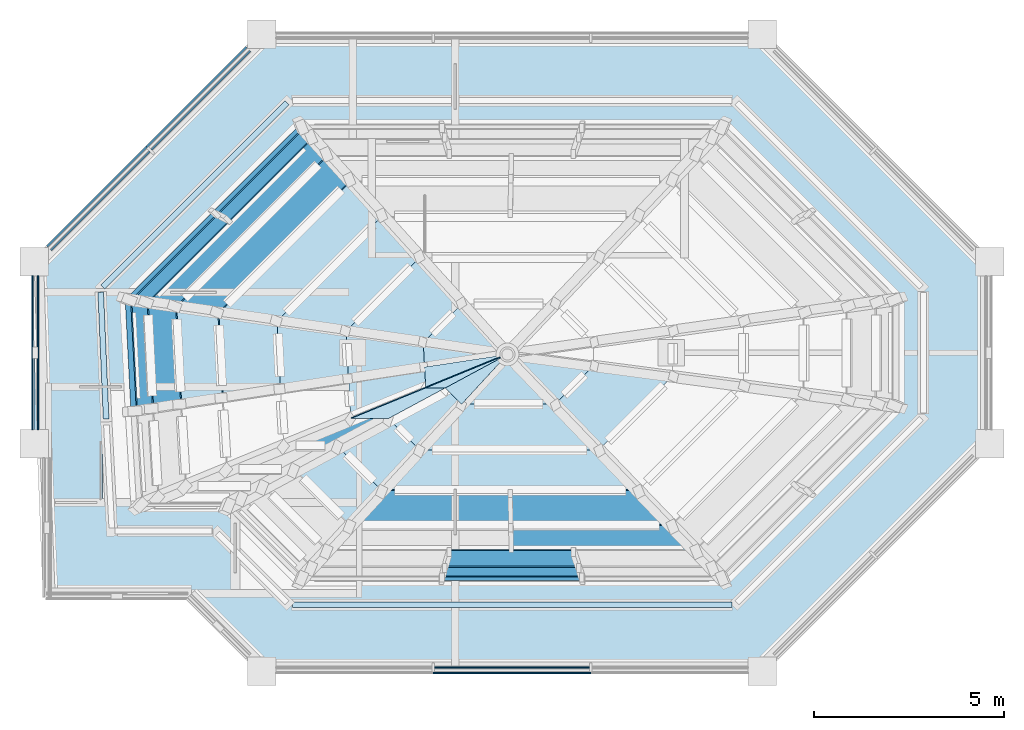
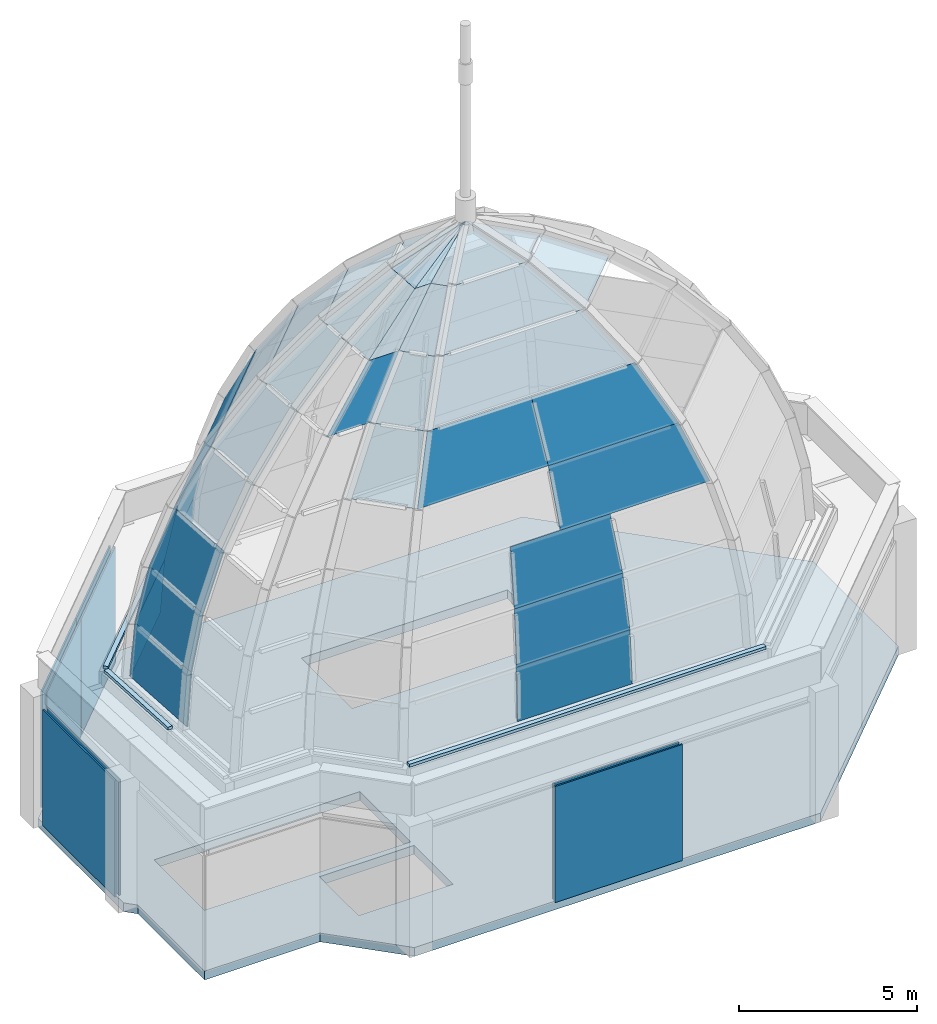
# One storey, part 2 of 9: 49 plates, 1 slab, 3 elements without a shape of their own.
"""IFC4 building model written with IfcOpenShell, lengths in metres."""

import ifcopenshell
import ifcopenshell.guid

model = None  # the IFC model being written
_history = None  # IfcOwnerHistory: only IFC2X3 demands one
_inside = {}  # id of a spatial element -> (the spatial element, [elements in it])
_under = {}  # id of a project, library or spatial element -> (it, [spatial elements below it])
_declared = {}  # id of a project -> (the project, [libraries it declares])
_typed = {}  # id of a type object -> (the type object, [elements of that type])
_made_of = {}  # id of a material, layer set ... -> (it, [elements and type objects made of it])


def new_model(schema):
    """Start an empty IFC model of exactly this schema.

    Asked for "IFC4X3", IfcOpenShell would pick the latest addendum, in which some entities
    have other attributes; the version numbers below select the first issue.
    IFC2X3 requires an IfcOwnerHistory on every rooted entity: one is made here for all.
    """
    global model, _history
    if schema == "IFC4X3":
        model = ifcopenshell.file(schema_version=(4, 3, 0, 0))
    else:
        model = ifcopenshell.file(schema=schema)
    _inside.clear()
    _under.clear()
    _declared.clear()
    _typed.clear()
    _made_of.clear()
    _history = None
    if model.schema == "IFC2X3":
        org = make("IfcOrganization", Name="unknown")
        user = make(
            "IfcPersonAndOrganization",
            ThePerson=make("IfcPerson", FamilyName="unknown"),
            TheOrganization=org,
        )
        app = make(
            "IfcApplication",
            ApplicationDeveloper=org,
            Version="unknown",
            ApplicationFullName="unknown",
            ApplicationIdentifier="unknown",
        )
        _history = make(
            "IfcOwnerHistory",
            OwningUser=user,
            OwningApplication=app,
            ChangeAction="ADDED",
            CreationDate=0,
        )
    return model


def make(cls, **values):
    """One entity of the class cls with the attributes given. An attribute that is None is left unset."""
    return model.create_entity(
        cls, **{name: value for name, value in values.items() if value is not None}
    )


def rooted(cls, **values):
    """An entity with a GlobalId (a new one), such as an element, a storey or a relation."""
    return make(cls, GlobalId=ifcopenshell.guid.new(), OwnerHistory=_history, **values)


def si_unit(unit_type, name, prefix=None):
    """IfcSIUnit, for example si_unit("LENGTHUNIT", "METRE", prefix="MILLI")."""
    return make("IfcSIUnit", UnitType=unit_type, Prefix=prefix, Name=name)


def assignment(units):
    """IfcUnitAssignment: the units of a project."""
    return None if units is None else make("IfcUnitAssignment", Units=units)


def point(xyz):
    """IfcCartesianPoint."""
    return None if xyz is None else make("IfcCartesianPoint", Coordinates=xyz)


def direction(xyz):
    """IfcDirection."""
    return None if xyz is None else make("IfcDirection", DirectionRatios=xyz)


def frame(location, z_axis=None, x_axis=None):
    """IfcAxis2Placement3D, a coordinate frame: its origin and axes. An axis left out is left unset."""
    return make(
        "IfcAxis2Placement3D",
        Location=point(location),
        Axis=direction(z_axis),
        RefDirection=direction(x_axis),
    )


def frame_2d(location, x_axis=None):
    """IfcAxis2Placement2D, a coordinate frame in the plane: its origin and x axis."""
    return make(
        "IfcAxis2Placement2D", Location=point(location), RefDirection=direction(x_axis)
    )


def origin():
    """The frame at (0, 0, 0) with its axes left unset."""
    return frame((0.0, 0.0, 0.0))


def origin_2d():
    """The frame at (0, 0) in the plane with its x axis left unset."""
    return frame_2d((0.0, 0.0))


def place(relative_to, where):
    """IfcLocalPlacement: puts the frame where relative to a parent placement (None: the world)."""
    return make(
        "IfcLocalPlacement", PlacementRelTo=relative_to, RelativePlacement=where
    )


def context(
    kind, dimensions, precision=None, world=None, true_north=None, identifier=None
):
    """IfcGeometricRepresentationContext, for example the 3D "Model" context."""
    return make(
        "IfcGeometricRepresentationContext",
        ContextIdentifier=identifier,
        ContextType=kind,
        CoordinateSpaceDimension=dimensions,
        Precision=precision,
        WorldCoordinateSystem=world,
        TrueNorth=true_north,
    )


def subcontext(parent, identifier, kind, view, scale=None):
    """IfcGeometricRepresentationSubContext, for example "Body" below "Model"."""
    return make(
        "IfcGeometricRepresentationSubContext",
        ContextIdentifier=identifier,
        ContextType=kind,
        ParentContext=parent,
        TargetScale=scale,
        TargetView=view,
    )


def project(units=None, contexts=None):
    """IfcProject with its units and contexts."""
    return rooted(
        "IfcProject",
        Name="project",
        RepresentationContexts=contexts,
        UnitsInContext=assignment(units),
    )


def spatial(cls, under=None, at=None, **own):
    """A site, building, storey or space (cls), placed at a placement, below another one or the project."""
    s = rooted(cls, ObjectPlacement=at, **own)
    if under is not None:
        _under.setdefault(under.id(), (under, []))[1].append(s)
    return s


def polyline(points):
    """IfcPolyline through the points."""
    return make("IfcPolyline", Points=[point(p) for p in points])


def profile(cls, at=None, kind="AREA", **sizes):
    """A parametric profile (cls). Its sizes go by their IFC names, for example OverallWidth=200.0."""
    return make(cls, ProfileType=kind, Position=at, **sizes)


def rectangle(**sizes):
    """IfcRectangleProfileDef."""
    return profile("IfcRectangleProfileDef", **sizes)


def outline(outer, holes=None, kind="AREA"):
    """IfcArbitraryClosedProfileDef: a profile drawn as a closed curve; with holes, ...WithVoids."""
    if holes is None:
        return make("IfcArbitraryClosedProfileDef", ProfileType=kind, OuterCurve=outer)
    return make(
        "IfcArbitraryProfileDefWithVoids",
        ProfileType=kind,
        OuterCurve=outer,
        InnerCurves=holes,
    )


def extrude(swept, where, along, depth):
    """IfcExtrudedAreaSolid: the profile swept, set in the frame where, extruded along a direction by depth."""
    return make(
        "IfcExtrudedAreaSolid",
        SweptArea=swept,
        Position=where,
        ExtrudedDirection=direction(along),
        Depth=depth,
    )


def shape(context_of_items, identifier, shape_type, items):
    """IfcShapeRepresentation: the items that make up one representation, for example the "Body"."""
    return make(
        "IfcShapeRepresentation",
        ContextOfItems=context_of_items,
        RepresentationIdentifier=identifier,
        RepresentationType=shape_type,
        Items=items,
    )


def material(Name=None, Category=None):
    """IfcMaterial."""
    return make("IfcMaterial", Name=Name, Category=Category)


def layer(
    of_material, thickness, ventilated=None, Name=None, Category=None, Priority=None
):
    """IfcMaterialLayer: one layer of a wall or slab, of a material (None: an air gap)."""
    return make(
        "IfcMaterialLayer",
        Material=of_material,
        LayerThickness=thickness,
        IsVentilated=ventilated,
        Name=Name,
        Category=Category,
        Priority=Priority,
    )


def layer_set(layers, Name=None):
    """IfcMaterialLayerSet."""
    return make("IfcMaterialLayerSet", MaterialLayers=layers, LayerSetName=Name)


def made_of(thing, what):
    """Note that an element or type object is made of a material, layer set ...; save() writes the relation."""
    if what is not None:
        _made_of.setdefault(what.id(), (what, []))[1].append(thing)
    return thing


def type_object(cls, material=None, **own):
    """A type object (cls), such as IfcWallType, which elements share."""
    return made_of(rooted(cls, **own), material)


def element(
    cls,
    number,
    at=None,
    inside=None,
    cuts=None,
    type_object=None,
    material=None,
    context=None,
    identifier="Body",
    shape_type=None,
    held_by="IfcProductDefinitionShape",
    body=None,
    shapes=None,
    **own,
):
    """One element of the class cls, such as IfcWall. Its Tag is "e" and its number.

    at: its placement. inside: the storey or other place that contains it. cuts: it is an
    opening in that element (IfcRelVoidsElement). A single representation is given by context,
    identifier, shape_type and body (its items); several are given by shapes. held_by: the class
    of the entity that holds the representations. save() writes the other relations.
    """
    e = rooted(cls, Tag="e%d" % number, ObjectPlacement=at, **own)
    if body is not None:
        shapes = [shape(context, identifier, shape_type, body)]
    if shapes is not None:
        e.Representation = make(held_by, Representations=shapes)
    if inside is not None:
        _inside.setdefault(inside.id(), (inside, []))[1].append(e)
    if cuts is not None:
        rooted(
            "IfcRelVoidsElement", RelatingBuildingElement=cuts, RelatedOpeningElement=e
        )
    if type_object is not None:
        _typed.setdefault(type_object.id(), (type_object, []))[1].append(e)
    return made_of(e, material)


def aggregate(whole, parts):
    """IfcRelAggregates: a whole, such as a stair, and the parts it consists of."""
    return rooted("IfcRelAggregates", RelatingObject=whole, RelatedObjects=parts)


def save(model, path):
    """Write the relations noted so far, then the file.

    IfcRelAggregates (storeys below a building ...), IfcRelContainedInSpatialStructure (elements
    in a storey), IfcRelDefinesByType, IfcRelAssociatesMaterial and IfcRelDeclares: one each for
    every whole, place, type object, material and project.
    """
    for whole, parts in _under.values():
        aggregate(whole, parts)
    for where, things in _inside.values():
        rooted(
            "IfcRelContainedInSpatialStructure",
            RelatedElements=things,
            RelatingStructure=where,
        )
    for kind, things in _typed.values():
        rooted("IfcRelDefinesByType", RelatedObjects=things, RelatingType=kind)
    for what, things in _made_of.values():
        rooted("IfcRelAssociatesMaterial", RelatedObjects=things, RelatingMaterial=what)
    for by, libraries in _declared.values():
        rooted("IfcRelDeclares", RelatingContext=by, RelatedDefinitions=libraries)
    model.write(path)


model = new_model("IFC4")

# Units and contexts
model_context = context("Model", 3, precision=1e-05, world=origin(), true_north=direction((0.0, 1.0)))
body_context = subcontext(model_context, "Body", "Model", "MODEL_VIEW")
ifc_project = project(units=[si_unit("LENGTHUNIT", "METRE"), si_unit("AREAUNIT", "SQUARE_METRE"), si_unit("VOLUMEUNIT", "CUBIC_METRE"), si_unit("PLANEANGLEUNIT", "RADIAN"), si_unit("MASSUNIT", "GRAM", prefix="KILO")], contexts=[model_context])

# Site, building, storey
site_placement = place(None, origin())
site = spatial("IfcSite", under=ifc_project, at=site_placement, CompositionType="ELEMENT")
building_placement = place(site_placement, origin())
building = spatial("IfcBuilding", under=site, at=building_placement, Name="Kawkab Arch Medical Tower", CompositionType="ELEMENT")
storey_placement = place(building_placement, frame((0.0, 0.0, 359.199951171875)))
storey = spatial("IfcBuildingStorey", under=building, at=storey_placement, Name="L83", CompositionType="ELEMENT", Elevation=359.199951171875)

# Plates
ifc_material_1 = material(Name="Steel S355", Category="steel")
ifc_layer_1 = layer(ifc_material_1, 0.10009765625)
ifc_layer_set_1 = layer_set([ifc_layer_1], Name="Steel S355")
plate_type_1 = type_object("IfcPlateType", Name="BMU rail 150 x 100", PredefinedType="USERDEFINED", material=ifc_layer_set_1)
plate_1_placement = place(storey_placement, frame((4.2373046875, -29.4375, 4.89990234375), z_axis=(0.0, 0.0, 1.0), x_axis=(0.707106781187, 0.707106781187, 0.0)))
element("IfcPlate", 1, at=plate_1_placement, inside=storey, type_object=plate_type_1, Name="BMU rail 1", ObjectType="BMU RAIL", PredefinedType="USERDEFINED", context=body_context, shape_type="SweptSolid", body=[
    extrude(rectangle(XDim=6.87548828125, YDim=0.14990234375, at=origin_2d()), origin(), (0.0, 0.0, 1.0), 0.10009765625),
])
plate_2_placement = place(storey_placement, frame((12.60009765625, -40.25, 4.89990234375), z_axis=(0.0, 0.0, 1.0), x_axis=(-1.0, 0.0, 0.0)))
element("IfcPlate", 2, at=plate_2_placement, inside=storey, type_object=plate_type_1, Name="BMU rail 6", ObjectType="BMU RAIL", PredefinedType="USERDEFINED", context=body_context, shape_type="SweptSolid", body=[
    extrude(rectangle(XDim=11.59033203125, YDim=0.14990234375, at=origin_2d()), origin(), (0.0, 0.0, 1.0), 0.10009765625),
])
plate_3_placement = place(storey_placement, frame((1.824951171875, -33.675048828125, 4.89990234375), z_axis=(0.0, 0.0, 1.0), x_axis=(-0.042814754895, 0.999083027963, 0.0)))
element("IfcPlate", 3, at=plate_3_placement, inside=storey, type_object=plate_type_1, Name="BMU rail 10", ObjectType="BMU RAIL", PredefinedType="USERDEFINED", context=body_context, shape_type="SweptSolid", body=[
    extrude(rectangle(XDim=3.343505859375, YDim=0.14990234375, at=origin_2d()), origin(), (0.0, 0.0, 1.0), 0.10009765625),
])

# Curtain wall, plate
ifc_material_2 = material(Name="Bronze anodised aluminium curtain wall frame", Category="aluminium")
ifc_layer_2 = layer(ifc_material_2, 0.159912109375)
ifc_layer_set_2 = layer_set([ifc_layer_2], Name="Bronze anodised aluminium curtain wall frame")
curtain_wall_type = type_object("IfcCurtainWallType", Name="CW6 helipad lobby and crown glazing", PredefinedType="NOTDEFINED", material=ifc_layer_set_2)
placement = place(storey_placement, origin())
curtain_wall_1 = element("IfcCurtainWall", 4, at=placement, inside=storey, type_object=curtain_wall_type, Name="CW6 Helipad lobby and crown glazing R01", PredefinedType="NOTDEFINED")
ifc_material_3 = material(Name="Tinted laminated insulating glass, low iron", Category="glass")
ifc_layer_3 = layer(ifc_material_3, 0.0400390625)
ifc_layer_set_3 = layer_set([ifc_layer_3], Name="Tinted laminated insulating glass, low iron")
plate_type_2 = type_object("IfcPlateType", Name="CW6 glazing unit 40", PredefinedType="CURTAIN_PANEL", material=ifc_layer_set_3)
plate_4_placement = place(storey_placement, frame((0.10009765625, -33.60009765625, 0.0), z_axis=(0.0, 0.0, 1.0), x_axis=(0.0, -1.0, 0.0)))
plate_4 = element("IfcPlate", 5, at=plate_4_placement, type_object=plate_type_2, Name="CW6 glazing unit 1.1", PredefinedType="CURTAIN_PANEL", context=body_context, shape_type="SweptSolid", body=[
    extrude(rectangle(XDim=4.050048828125, YDim=0.0400390625, at=origin_2d()), origin(), (0.0, 0.0, 1.0), 3.989990234375),
])
aggregate(curtain_wall_1, [plate_4])

curtain_wall_2 = element("IfcCurtainWall", 6, at=placement, inside=storey, type_object=curtain_wall_type, Name="CW6 Helipad lobby and crown glazing R06", PredefinedType="NOTDEFINED")
plate_5_placement = place(storey_placement, frame((12.60009765625, -41.89990234375, 0.0), z_axis=(0.0, 0.0, 1.0), x_axis=(1.0, 0.0, 0.0)))
plate_5 = element("IfcPlate", 7, at=plate_5_placement, type_object=plate_type_2, Name="CW6 glazing unit 1.2", PredefinedType="CURTAIN_PANEL", context=body_context, shape_type="SweptSolid", body=[
    extrude(rectangle(XDim=4.080078125, YDim=0.0400390625, at=origin_2d()), origin(), (0.0, 0.0, 1.0), 3.989990234375),
])
aggregate(curtain_wall_2, [plate_5])

# Curtain wall, plates
curtain_wall_3 = element("IfcCurtainWall", 8, at=placement, inside=storey, type_object=curtain_wall_type, Name="CW6 Helipad lobby and crown glazing R11", PredefinedType="NOTDEFINED")
plate_6_placement = place(storey_placement, frame((4.3955078125, -26.94580078125, 0.0), z_axis=(0.0, 0.0, 1.0), x_axis=(-0.707106781187, -0.707106781187, 0.0)))
plate_6 = element("IfcPlate", 9, at=plate_6_placement, type_object=plate_type_2, Name="CW6 glazing unit 1.1", PredefinedType="CURTAIN_PANEL", context=body_context, shape_type="SweptSolid", body=[
    extrude(rectangle(XDim=3.67724609375, YDim=0.0400390625, at=origin_2d()), origin(), (0.0, 0.0, 1.0), 3.989990234375),
])
plate_7_placement = place(storey_placement, frame((1.745849609375, -29.595703125, 0.0), z_axis=(0.0, 0.0, 1.0), x_axis=(-0.707106781187, -0.707106781187, 0.0)))
plate_7 = element("IfcPlate", 10, at=plate_7_placement, type_object=plate_type_2, Name="CW6 glazing unit 1.2", PredefinedType="CURTAIN_PANEL", context=body_context, shape_type="SweptSolid", body=[
    extrude(rectangle(XDim=3.67724609375, YDim=0.0400390625, at=origin_2d()), origin(), (0.0, 0.0, 1.0), 3.989990234375),
])
aggregate(curtain_wall_3, [plate_6, plate_7])

# Plates
ifc_material_4 = material(Name="Laminated tinted glass", Category="glass")
ifc_layer_4 = layer(ifc_material_4, 0.031982421875)
ifc_layer_set_4 = layer_set([ifc_layer_4], Name="Laminated tinted glass")
plate_type_3 = type_object("IfcPlateType", Name="Crown glazing panel 32", PredefinedType="USERDEFINED", material=ifc_layer_set_4)
plate_8_placement = place(storey_placement, frame((10.7314453125, -39.60009765625, 4.650146484375), z_axis=(0.0, -0.998924421015, 0.046368104329), x_axis=(1.0, 0.0, 0.0)))
element("IfcPlate", 11, at=plate_8_placement, inside=storey, type_object=plate_type_3, Name="Crown glazing, peak B face 3 row 1 bay 2", ObjectType="CROWN GLAZING", PredefinedType="USERDEFINED", context=body_context, shape_type="SweptSolid", body=[
    extrude(outline(polyline([(0.0, 0.0), (3.737060546875, 0.0), (3.708984375, 1.8217836910025784), (0.024658203125, 1.8217836910025784), (0.0, 0.0)])), origin(), (0.0, 0.0, -1.0), 0.031982421875),
])
plate_9_placement = place(storey_placement, frame((6.994140625, -27.60009765625, 4.650146484375), z_axis=(-0.705666116441, 0.705703884912, 0.063382639013), x_axis=(-0.707125627199, -0.707087934669, 1.692718e-06)))
element("IfcPlate", 12, at=plate_9_placement, inside=storey, type_object=plate_type_3, Name="Crown glazing, peak B face 8 row 1 bay 1", ObjectType="CROWN GLAZING", PredefinedType="USERDEFINED", context=body_context, shape_type="SweptSolid", body=[
    extrude(outline(polyline([(0.0, 0.0), (3.2486170419002005, 1.3877787807814457e-17), (3.2080481737000937, 1.8234852719501087), (0.005524269412982989, 1.8234962139163857), (0.0, 0.0)])), origin(), (0.0, 0.0, -1.0), 0.031982421875),
])
plate_10_placement = place(storey_placement, frame((4.697021484375, -29.897216796875, 4.650146484375), z_axis=(-0.705666145686, 0.705703916181, 0.063381965253), x_axis=(-0.707125779167, -0.707087782694, -1.668772e-06)))
element("IfcPlate", 13, at=plate_10_placement, inside=storey, type_object=plate_type_3, Name="Crown glazing, peak B face 8 row 1 bay 2", ObjectType="CROWN GLAZING", PredefinedType="USERDEFINED", context=body_context, shape_type="SweptSolid", body=[
    extrude(outline(polyline([(0.0, 0.0), (3.2484444130284507, 0.0), (3.1617762558338147, 1.8234959219404294), (-0.0405750103424294, 1.823485135347639), (0.0, 0.0)])), origin(), (0.0, 0.0, -1.0), 0.031982421875),
])
plate_11_placement = place(storey_placement, frame((2.39990234375, -32.194091796875, 4.650146484375), z_axis=(-0.995699649709, -0.050462779026, 0.077689867435), x_axis=(0.050615831488, -0.998718197292, 9.00803e-07)))
element("IfcPlate", 14, at=plate_11_placement, inside=storey, type_object=plate_type_3, Name="Crown glazing, peak B face 9 row 1 bay 1", ObjectType="CROWN GLAZING", PredefinedType="USERDEFINED", context=body_context, shape_type="SweptSolid", body=[
    extrude(outline(polyline([(0.0, 0.0), (2.9657172621851458, 3.469446951953614e-18), (2.9513922739018796, 1.8253385093803363), (0.027724589943686557, 1.8253438306384517), (0.0, 0.0)])), origin(), (0.0, 0.0, -1.0), 0.031982421875),
])
plate_12_placement = place(storey_placement, frame((10.756103515625, -39.515625, 6.469970703125), z_axis=(0.0, -0.990134578765, 0.140119648638), x_axis=(1.0, 0.0, 0.0)))
element("IfcPlate", 15, at=plate_12_placement, inside=storey, type_object=plate_type_3, Name="Crown glazing, peak B face 3 row 2 bay 2", ObjectType="CROWN GLAZING", PredefinedType="USERDEFINED", context=body_context, shape_type="SweptSolid", body=[
    extrude(outline(polyline([(0.0, 0.0), (3.684326171875, 0.0), (3.598388671875, 1.8382030063486279), (0.07568359375, 1.8382030063486279), (0.0, 0.0)])), origin(), (0.0, 0.0, -1.0), 0.031982421875),
])
plate_13_placement = place(storey_placement, frame((7.072021484375, -27.685791015625, 6.469970703125), z_axis=(-0.694192777645, 0.694231037829, 0.190104322889), x_axis=(-0.707126939656, -0.707086622125, -4.917693e-06)))
element("IfcPlate", 16, at=plate_13_placement, inside=storey, type_object=plate_type_3, Name="Crown glazing, peak B face 8 row 2 bay 1", ObjectType="CROWN GLAZING", PredefinedType="USERDEFINED", context=body_context, shape_type="SweptSolid", body=[
    extrude(outline(polyline([(0.0, 0.0), (3.202523904409459, -5.551115123125783e-17), (3.0792445911396773, 1.853891256953101), (0.01707172018306523, 1.8538598768496135), (0.0, 0.0)])), origin(), (0.0, 0.0, -1.0), 0.031982421875),
])
plate_14_placement = place(storey_placement, frame((4.807373046875, -29.9501953125, 6.469970703125), z_axis=(-0.694205658493, 0.694205658493, 0.190149960381), x_axis=(-0.707106781187, -0.707106781187, 0.0)))
element("IfcPlate", 17, at=plate_14_placement, inside=storey, type_object=plate_type_3, Name="Crown glazing, peak B face 8 row 2 bay 2", ObjectType="CROWN GLAZING", PredefinedType="USERDEFINED", context=body_context, shape_type="SweptSolid", body=[
    extrude(outline(polyline([(0.0, 0.0), (3.2023512673365375, 0.0), (2.938567292323587, 1.8538925221831528), (-0.12326031293144407, 1.8538925221831528), (0.0, 0.0)])), origin(), (0.0, 0.0, -1.0), 0.031982421875),
])
plate_15_placement = place(storey_placement, frame((2.54296875, -32.214599609375, 6.469970703125), z_axis=(-0.971721690178, -0.049219500015, 0.230942411992), x_axis=(0.050587902744, -0.998719612344, 3.820788e-06)))
element("IfcPlate", 18, at=plate_15_placement, inside=storey, type_object=plate_type_3, Name="Crown glazing, peak B face 9 row 2 bay 1", ObjectType="CROWN GLAZING", PredefinedType="USERDEFINED", context=body_context, shape_type="SweptSolid", body=[
    extrude(outline(polyline([(0.0, 0.0), (2.923667683765134, 0.0), (2.880041014061154, 1.8706251782574814), (0.08471651141293965, 1.870647636417558), (0.0, 0.0)])), origin(), (0.0, 0.0, -1.0), 0.031982421875),
])
plate_16_placement = place(storey_placement, frame((10.831787109375, -39.258056640625, 8.2900390625), z_axis=(0.0, -0.971529118743, 0.23692017946), x_axis=(1.0, 0.0, 0.0)))
element("IfcPlate", 19, at=plate_16_placement, inside=storey, type_object=plate_type_3, Name="Crown glazing, peak B face 3 row 3 bay 2", ObjectType="CROWN GLAZING", PredefinedType="USERDEFINED", context=body_context, shape_type="SweptSolid", body=[
    extrude(outline(polyline([(0.0, 0.0), (3.522705078125, 0.0), (3.37451171875, 1.8734058756064107), (0.13037109375, 1.8734058756064107), (0.0, 0.0)])), origin(), (0.0, 0.0, -1.0), 0.031982421875),
])
plate_17_placement = place(storey_placement, frame((7.30908203125, -27.947021484375, 8.2900390625), z_axis=(-0.670692812762, 0.670692812762, 0.316768530347), x_axis=(-0.707106781187, -0.707106781187, 0.0)))
element("IfcPlate", 20, at=plate_17_placement, inside=storey, type_object=plate_type_3, Name="Crown glazing, peak B face 8 row 3 bay 1", ObjectType="CROWN GLAZING", PredefinedType="USERDEFINED", context=body_context, shape_type="SweptSolid", body=[
    extrude(outline(polyline([(0.0, 0.0), (6.124000477493063, 0.0), (5.669111227388925, 1.9188854489683425), (0.029520327046606343, 1.9188854489683425), (0.0, 0.0)])), origin(), (0.0, 0.0, -1.0), 0.031982421875),
])
plate_18_placement = place(storey_placement, frame((2.978759765625, -32.27734375, 8.2900390625), z_axis=(-0.92428610533, -0.046790774339, 0.37882161888), x_axis=(0.050560423771, -0.998721003852, 3.611337e-06)))
element("IfcPlate", 21, at=plate_18_placement, inside=storey, type_object=plate_type_3, Name="Crown glazing, peak B face 9 row 3 bay 1", ObjectType="CROWN GLAZING", PredefinedType="USERDEFINED", context=body_context, shape_type="SweptSolid", body=[
    extrude(outline(polyline([(0.0, 0.0), (2.7953245030299088, 0.0), (2.7203527609922635, 1.9666322072588147), (0.14601692177476472, 1.9666531605669682), (0.0, 0.0)])), origin(), (0.0, 0.0, -1.0), 0.031982421875),
])
plate_19_placement = place(storey_placement, frame((12.583984375, -38.814208984375, 10.110107421875), z_axis=(0.0, -0.940502385695, 0.339787084072), x_axis=(1.0, 0.0, 0.0)))
element("IfcPlate", 22, at=plate_19_placement, inside=storey, type_object=plate_type_3, Name="Crown glazing, peak B face 3 row 4 bay 2", ObjectType="CROWN GLAZING", PredefinedType="USERDEFINED", context=body_context, shape_type="SweptSolid", body=[
    extrude(outline(polyline([(0.0, 0.0), (4.8662109375, 0.0), (4.234130859375, 1.9349490723573912), (-0.01318359375, 1.9349490723573912), (0.0, 0.0)])), origin(), (0.0, 0.0, -1.0), 0.031982421875),
])
plate_20_placement = place(storey_placement, frame((7.718017578125, -28.397705078125, 10.110107421875), z_axis=(-0.633791164973, 0.633791164973, 0.443415739916), x_axis=(-0.707106781187, -0.707106781187, 0.0)))
element("IfcPlate", 23, at=plate_20_placement, inside=storey, type_object=plate_type_3, Name="Crown glazing, peak B face 8 row 4 bay 1", ObjectType="CROWN GLAZING", PredefinedType="USERDEFINED", context=body_context, shape_type="SweptSolid", body=[
    extrude(outline(polyline([(0.0, 0.0), (5.639590900342318, 0.0), (4.966147649998392, 2.030337620280762), (0.043676273349657346, 2.030337620280762), (0.0, 0.0)])), origin(), (0.0, 0.0, -1.0), 0.031982421875),
])
plate_21_placement = place(storey_placement, frame((3.730224609375, -32.385498046875, 10.110107421875), z_axis=(-0.854011950382, -0.043259199799, 0.518451762691), x_axis=(0.050578088837, -0.998720109235, -1.8401817e-05)))
element("IfcPlate", 24, at=plate_21_placement, inside=storey, type_object=plate_type_3, Name="Crown glazing, peak B face 9 row 4 bay 1", ObjectType="CROWN GLAZING", PredefinedType="USERDEFINED", context=body_context, shape_type="SweptSolid", body=[
    extrude(outline(polyline([(0.0, 0.0), (2.5743358378191075, 0.0), (2.4632233366502363, 2.1282363615143267), (0.21644454920402423, 2.128132611594492), (0.0, 0.0)])), origin(), (0.0, 0.0, -1.0), 0.031982421875),
])
plate_22_placement = place(storey_placement, frame((6.84619140625, -36.679443359375, 11.929931640625), z_axis=(-0.582551223615, -0.582604835913, 0.566750101045), x_axis=(0.707147631364, -0.707065928442, 1.7095204e-05)))
element("IfcPlate", 25, at=plate_22_placement, inside=storey, type_object=plate_type_3, Name="Crown glazing, peak B face 2 row 5 bay 1", ObjectType="CROWN GLAZING", PredefinedType="USERDEFINED", context=body_context, shape_type="SweptSolid", body=[
    extrude(outline(polyline([(0.0, 0.0), (2.0893831538133716, 0.0), (2.03804181570978, 2.2090741088353942), (0.37558129557609793, 2.209151957275177), (0.0, 0.0)])), origin(), (0.0, 0.0, -1.0), 0.031982421875),
])
plate_23_placement = place(storey_placement, frame((8.32373046875, -38.15673828125, 11.929931640625), z_axis=(0.0, -0.892141895527, 0.451755285797), x_axis=(1.0, 0.0, 0.0)))
element("IfcPlate", 26, at=plate_23_placement, inside=storey, type_object=plate_type_3, Name="Crown glazing, peak B face 3 row 5 bay 1", ObjectType="CROWN GLAZING", PredefinedType="USERDEFINED", context=body_context, shape_type="SweptSolid", body=[
    extrude(outline(polyline([(0.0, 0.0), (4.2470703125, 0.0), (4.228515625, 2.040110848397779), (0.848876953125, 2.040110848397779), (0.0, 0.0)])), origin(), (0.0, 0.0, -1.0), 0.031982421875),
])
plate_24_placement = place(storey_placement, frame((12.57080078125, -38.15673828125, 11.929931640625), z_axis=(0.0, -0.892141895527, 0.451755285797), x_axis=(1.0, 0.0, 0.0)))
element("IfcPlate", 27, at=plate_24_placement, inside=storey, type_object=plate_type_3, Name="Crown glazing, peak B face 3 row 5 bay 2", ObjectType="CROWN GLAZING", PredefinedType="USERDEFINED", context=body_context, shape_type="SweptSolid", body=[
    extrude(outline(polyline([(0.0, 0.0), (4.247314453125, 0.0), (3.361083984375, 2.040110848397779), (-0.0185546875, 2.040110848397779), (0.0, 0.0)])), origin(), (0.0, 0.0, -1.0), 0.031982421875),
])
plate_25_placement = place(storey_placement, frame((8.32373046875, -29.065185546875, 11.929931640625), z_axis=(-0.58111607565, 0.581093377577, 0.569767139415), x_axis=(-0.707097454387, -0.707116107804, -9.144741e-06)))
element("IfcPlate", 28, at=plate_25_placement, inside=storey, type_object=plate_type_3, Name="Crown glazing, peak B face 8 row 5 bay 1", ObjectType="CROWN GLAZING", PredefinedType="USERDEFINED", context=body_context, shape_type="SweptSolid", body=[
    extrude(outline(polyline([(0.0, 0.0), (4.922471376014717, 0.0), (3.9781661786527227, 2.2147615465468022), (0.06128488822257949, 2.21466318565617), (0.0, 0.0)])), origin(), (0.0, 0.0, -1.0), 0.031982421875),
])
plate_26_placement = place(storey_placement, frame((4.843017578125, -32.5458984375, 11.929931640625), z_axis=(-0.761059865542, -0.038551020819, 0.647535095462), x_axis=(0.050609318408, -0.998718527087, 2.3322802e-05)))
element("IfcPlate", 29, at=plate_26_placement, inside=storey, type_object=plate_type_3, Name="Crown glazing, peak B face 9 row 5 bay 1", ObjectType="CROWN GLAZING", PredefinedType="USERDEFINED", context=body_context, shape_type="SweptSolid", body=[
    extrude(outline(polyline([(0.0, 0.0), (2.2467787902422933, 0.0), (2.0910015862862776, 2.3883654812323076), (0.3033174953691994, 2.3884889596821197), (0.0, 0.0)])), origin(), (0.0, 0.0, -1.0), 0.031982421875),
])
plate_27_placement = place(storey_placement, frame((6.583984375, -36.0595703125, 13.75), z_axis=(0.0, -0.907214148782, 0.420669095906), x_axis=(1.0, 0.0, 0.0)))
element("IfcPlate", 30, at=plate_27_placement, inside=storey, type_object=plate_type_3, Name="Crown glazing, peak B face 1 row 6 bay 1", ObjectType="CROWN GLAZING", PredefinedType="USERDEFINED", context=body_context, shape_type="SweptSolid", body=[
    extrude(outline(polyline([(0.0, 0.0), (1.4130859375, 0.0), (2.75634765625, 1.7196144877647153), (1.7666015625, 1.7196144877647153), (0.0, 0.0)])), origin(), (0.0, 0.0, -1.0), 0.031982421875),
])
plate_28_placement = place(storey_placement, frame((7.9970703125, -36.0595703125, 13.75), z_axis=(-0.516060775812, -0.516060775812, 0.683639196753), x_axis=(0.707106781187, -0.707106781187, 0.0)))
element("IfcPlate", 31, at=plate_28_placement, inside=storey, type_object=plate_type_3, Name="Crown glazing, peak B face 2 row 6 bay 1", ObjectType="CROWN GLAZING", PredefinedType="USERDEFINED", context=body_context, shape_type="SweptSolid", body=[
    extrude(outline(polyline([(0.0, 0.0), (1.6624605231509895, 0.0), (1.6025567016002737, 2.1375932107088245), (0.4383164349200792, 2.1375932107088245), (0.0, 0.0)])), origin(), (0.0, 0.0, -1.0), 0.031982421875),
])
plate_29_placement = place(storey_placement, frame((9.172607421875, -37.235107421875, 13.75), z_axis=(0.0, -0.823266766968, 0.567654675315), x_axis=(1.0, 0.0, 0.0)))
element("IfcPlate", 32, at=plate_29_placement, inside=storey, type_object=plate_type_3, Name="Crown glazing, peak B face 3 row 6 bay 1", ObjectType="CROWN GLAZING", PredefinedType="USERDEFINED", context=body_context, shape_type="SweptSolid", body=[
    extrude(outline(polyline([(0.0, 0.0), (6.75927734375, 0.0), (5.724853515625, 1.8949612159081628), (0.990966796875, 1.8949612159081628), (0.0, 0.0)])), origin(), (0.0, 0.0, -1.0), 0.031982421875),
])
plate_30_placement = place(storey_placement, frame((9.172607421875, -30.000732421875, 13.75), z_axis=(-0.514177104998, 0.514123797539, 0.686511926699), x_axis=(-0.707072711832, -0.707140848889, -3.876653e-06)))
element("IfcPlate", 33, at=plate_30_placement, inside=storey, type_object=plate_type_3, Name="Crown glazing, peak B face 8 row 6 bay 1", ObjectType="CROWN GLAZING", PredefinedType="USERDEFINED", context=body_context, shape_type="SweptSolid", body=[
    extrude(outline(polyline([(0.0, 0.0), (3.9168812923995056, 2.220446049250313e-16), (2.8148540011517627, 2.145550436840562), (0.07153518260255426, 2.1455149277993875), (0.0, 0.0)])), origin(), (0.0, 0.0, -1.0), 0.031982421875),
])
plate_31_placement = place(storey_placement, frame((6.403076171875, -32.7705078125, 13.75), z_axis=(-0.653028574974, -0.033032165151, 0.756612553645), x_axis=(0.050525172562, -0.998722787816, 5.822492e-06)))
element("IfcPlate", 34, at=plate_31_placement, inside=storey, type_object=plate_type_3, Name="Crown glazing, peak B face 9 row 6 bay 1", ObjectType="CROWN GLAZING", PredefinedType="USERDEFINED", context=body_context, shape_type="SweptSolid", body=[
    extrude(outline(polyline([(0.0, 0.0), (1.7876840969601973, -1.3877787807814457e-17), (1.6059634657469086, 2.3858944615293285), (0.3538774943384748, 2.3859215299297336), (0.0, 0.0)])), origin(), (0.0, 0.0, -1.0), 0.031982421875),
])
plate_32_placement = place(storey_placement, frame((8.3505859375, -35.336181640625, 15.31005859375), z_axis=(0.0, -0.849008922079, 0.528378510379), x_axis=(1.0, 0.0, 0.0)))
element("IfcPlate", 35, at=plate_32_placement, inside=storey, type_object=plate_type_3, Name="Crown glazing, peak B face 1 row 7 bay 1", ObjectType="CROWN GLAZING", PredefinedType="USERDEFINED", context=body_context, shape_type="SweptSolid", body=[
    extrude(outline(polyline([(0.0, 0.0), (0.98974609375, 0.0), (2.491943359375, 1.5312546126627053), (1.975830078125, 1.5312546126627053), (0.0, 0.0)])), origin(), (0.0, 0.0, -1.0), 0.031982421875),
])
plate_33_placement = place(storey_placement, frame((9.34033203125, -35.336181640625, 15.31005859375), z_axis=(-0.440194896462, -0.440194896462, 0.782596260058), x_axis=(0.707106781187, -0.707106781187, 0.0)))
element("IfcPlate", 36, at=plate_33_placement, inside=storey, type_object=plate_type_3, Name="Crown glazing, peak B face 2 row 7 bay 1", ObjectType="CROWN GLAZING", PredefinedType="USERDEFINED", context=body_context, shape_type="SweptSolid", body=[
    extrude(outline(polyline([(0.0, 0.0), (1.1642402666801945, 0.0), (1.0974311054694539, 2.0883325763849694), (0.4901064823702659, 2.0883325763849694), (0.0, 0.0)])), origin(), (0.0, 0.0, -1.0), 0.031982421875),
])
plate_34_placement = place(storey_placement, frame((10.16357421875, -36.159423828125, 15.31005859375), z_axis=(0.0, -0.734004953849, 0.679144114106), x_axis=(1.0, 0.0, 0.0)))
element("IfcPlate", 37, at=plate_34_placement, inside=storey, type_object=plate_type_3, Name="Crown glazing, peak B face 3 row 7 bay 1", ObjectType="CROWN GLAZING", PredefinedType="USERDEFINED", context=body_context, shape_type="SweptSolid", body=[
    extrude(outline(polyline([(0.0, 0.0), (4.73388671875, 0.0), (3.5771484375, 1.7711717357049044), (1.1083984375, 1.7711717357049044), (0.0, 0.0)])), origin(), (0.0, 0.0, -1.0), 0.031982421875),
])
plate_35_placement = place(storey_placement, frame((14.8974609375, -36.159423828125, 15.31005859375), z_axis=(0.434577806011, -0.434613754212, 0.7888301561), x_axis=(0.707145515758, 0.707068044416, -1.0457893e-05)))
element("IfcPlate", 38, at=plate_35_placement, inside=storey, type_object=plate_type_3, Name="Crown glazing, peak B face 4 row 7 bay 1", ObjectType="CROWN GLAZING", PredefinedType="USERDEFINED", context=body_context, shape_type="SweptSolid", body=[
    extrude(outline(polyline([(0.0, 0.0), (2.7433188186271007, 0.0), (1.4633091079734641, 2.1152625142801926), (0.03252273264137669, 2.1151914899620614), (0.0, 0.0)])), origin(), (0.0, 0.0, -1.0), 0.031982421875),
])
plate_36_placement = place(storey_placement, frame((10.16357421875, -31.0927734375, 15.31005859375), z_axis=(-0.438066134683, 0.438066134683, 0.784981606975), x_axis=(-0.707079361253, -0.707134199395, 3.0602925e-05)))
element("IfcPlate", 39, at=plate_36_placement, inside=storey, type_object=plate_type_3, Name="Crown glazing, peak B face 8 row 7 bay 1", ObjectType="CROWN GLAZING", PredefinedType="USERDEFINED", context=body_context, shape_type="SweptSolid", body=[
    extrude(outline(polyline([(0.0, 0.0), (2.743318816783438, -2.220446049250313e-16), (1.5106467092728915, 2.0984061101540057), (0.0800329736468024, 2.098612293546014), (0.0, 0.0)])), origin(), (0.0, 0.0, -1.0), 0.031982421875),
])
plate_37_placement = place(storey_placement, frame((8.223876953125, -33.03271484375, 15.31005859375), z_axis=(-0.540696093768, -0.027336617598, 0.840773717193), x_axis=(0.050499328019, -0.998724094961, 3.628476e-06)))
element("IfcPlate", 40, at=plate_37_placement, inside=storey, type_object=plate_type_3, Name="Crown glazing, peak B face 9 row 7 bay 1", ObjectType="CROWN GLAZING", PredefinedType="USERDEFINED", context=body_context, shape_type="SweptSolid", body=[
    extrude(outline(polyline([(0.0, 0.0), (1.252085971764942, -6.938893903907228e-18), (1.048367333378388, 2.4013242837932225), (0.3954353346175338, 2.401337051584206), (0.0, 0.0)])), origin(), (0.0, 0.0, -1.0), 0.031982421875),
])
plate_38_placement = place(storey_placement, frame((8.287109375, -34.283203125, 15.31005859375), z_axis=(-0.540037247376, -0.032584907811, 0.841010104118), x_axis=(0.060189754631, -0.998186952833, -2.5113164e-05)))
element("IfcPlate", 41, at=plate_38_placement, inside=storey, type_object=plate_type_3, Name="Crown glazing, peak B face 10 row 7 bay 1", ObjectType="CROWN GLAZING", PredefinedType="USERDEFINED", context=body_context, shape_type="SweptSolid", body=[
    extrude(outline(polyline([(0.0, 0.0), (1.054890054632429, 6.938893903907228e-18), (0.3661670065211049, 2.4029785160155437), (-0.18415195112169822, 2.4029040050522483), (0.0, 0.0)])), origin(), (0.0, 0.0, -1.0), 0.031982421875),
])
plate_39_placement = place(storey_placement, frame((10.326416015625, -34.527099609375, 16.610107421875), z_axis=(0.0, -0.762733923856, 0.646712425579), x_axis=(1.0, 0.0, 0.0)))
element("IfcPlate", 42, at=plate_39_placement, inside=storey, type_object=plate_type_3, Name="Crown glazing, peak B face 1 row 8 bay 1", ObjectType="CROWN GLAZING", PredefinedType="USERDEFINED", context=body_context, shape_type="SweptSolid", body=[
    extrude(outline(polyline([(0.0, 0.0), (0.51611328125, 0.0), (2.153564453125, 1.3635673332081488), (0.0, 0.0)])), origin(), (0.0, 0.0, -1.0), 0.031982421875),
])
plate_40_placement = place(storey_placement, frame((10.842529296875, -34.527099609375, 16.610107421875), z_axis=(-0.356517237096, -0.356517237096, 0.863591870797), x_axis=(0.707106781187, -0.707106781187, 0.0)))
element("IfcPlate", 43, at=plate_40_placement, inside=storey, type_object=plate_type_3, Name="Crown glazing, peak B face 2 row 8 bay 1", ObjectType="CROWN GLAZING", PredefinedType="USERDEFINED", context=body_context, shape_type="SweptSolid", body=[
    extrude(outline(polyline([(0.0, 0.0), (0.6073246230991881, 0.0), (0.534300656194425, 2.0627857429353638), (0.0, 0.0)])), origin(), (0.0, 0.0, -1.0), 0.031982421875),
])
plate_41_placement = place(storey_placement, frame((11.27197265625, -34.95654296875, 16.610107421875), z_axis=(0.0, -0.621416325432, 0.783480536125), x_axis=(1.0, 0.0, 0.0)))
element("IfcPlate", 44, at=plate_41_placement, inside=storey, type_object=plate_type_3, Name="Crown glazing, peak B face 3 row 8 bay 1", ObjectType="CROWN GLAZING", PredefinedType="USERDEFINED", context=body_context, shape_type="SweptSolid", body=[
    extrude(outline(polyline([(0.0, 0.0), (2.46875, 0.0), (1.2080078125, 1.6736590590496243), (0.0, 0.0)])), origin(), (0.0, 0.0, -1.0), 0.031982421875),
])
plate_42_placement = place(storey_placement, frame((13.74072265625, -34.95654296875, 16.610107421875), z_axis=(0.351023029737, -0.351023029737, 0.868081600535), x_axis=(0.707106781187, 0.707106781187, 0.0)))
element("IfcPlate", 45, at=plate_42_placement, inside=storey, type_object=plate_type_3, Name="Crown glazing, peak B face 4 row 8 bay 1", ObjectType="CROWN GLAZING", PredefinedType="USERDEFINED", context=body_context, shape_type="SweptSolid", body=[
    extrude(outline(polyline([(0.0, 0.0), (1.4307863775571548, 0.0), (0.03573513274062867, 2.095072435399113), (0.0, 0.0)])), origin(), (0.0, 0.0, -1.0), 0.031982421875),
])
plate_43_placement = place(storey_placement, frame((11.27197265625, -32.314208984375, 16.610107421875), z_axis=(-0.354395906518, 0.354481447408, 0.865301360733), x_axis=(-0.707192103271, -0.707021448806, 0.0)))
element("IfcPlate", 46, at=plate_43_placement, inside=storey, type_object=plate_type_3, Name="Crown glazing, peak B face 8 row 8 bay 1", ObjectType="CROWN GLAZING", PredefinedType="USERDEFINED", context=body_context, shape_type="SweptSolid", body=[
    extrude(outline(polyline([(0.0, 0.0), (1.430613754481576, 1.1102230246251565e-16), (0.08679062790647157, 2.0748826700828746), (0.0, 0.0)])), origin(), (0.0, 0.0, -1.0), 0.031982421875),
])
plate_44_placement = place(storey_placement, frame((10.26025390625, -33.32568359375, 16.610107421875), z_axis=(-0.426726616849, -0.021567986999, 0.904123451974), x_axis=(0.050478433329, -0.998725151265, 0.0)))
element("IfcPlate", 47, at=plate_44_placement, inside=storey, type_object=plate_type_3, Name="Crown glazing, peak B face 9 row 8 bay 1", ObjectType="CROWN GLAZING", PredefinedType="USERDEFINED", context=body_context, shape_type="SweptSolid", body=[
    extrude(outline(polyline([(0.0, 0.0), (0.652931998908048, -3.469446951953614e-18), (0.4312209811594885, 2.434141975221695), (0.0, 0.0)])), origin(), (0.0, 0.0, -1.0), 0.031982421875),
])
plate_45_placement = place(storey_placement, frame((10.293212890625, -33.977783203125, 16.610107421875), z_axis=(-0.42616345374, -0.025759213204, 0.904279367027), x_axis=(0.060334328266, -0.998178224984, 0.0)))
element("IfcPlate", 48, at=plate_45_placement, inside=storey, type_object=plate_type_3, Name="Crown glazing, peak B face 10 row 8 bay 1", ObjectType="CROWN GLAZING", PredefinedType="USERDEFINED", context=body_context, shape_type="SweptSolid", body=[
    extrude(outline(polyline([(0.0, 0.0), (0.5503189635885545, 0.0), (-0.19997660257630598, 2.436023868797126), (0.0, 0.0)])), origin(), (0.0, 0.0, -1.0), 0.031982421875),
])
ifc_material_5 = material(Name="Bronze anodised aluminium perforated screen", Category="aluminium")
ifc_layer_5 = layer(ifc_material_5, 0.050048828125)
ifc_layer_set_5 = layer_set([ifc_layer_5], Name="Bronze anodised aluminium perforated screen")
plate_type_4 = type_object("IfcPlateType", Name="Crown perforated star screen 50", PredefinedType="USERDEFINED", material=ifc_layer_set_5)
plate_46_placement = place(storey_placement, frame((-0.044921875, -33.60009765625, 0.0), z_axis=(0.0, 0.0, 1.0), x_axis=(0.0, -1.0, 0.0)))
element("IfcPlate", 49, at=plate_46_placement, inside=storey, type_object=plate_type_4, Name="Crown screen L83 R01.1.1", ObjectType="SCREEN", PredefinedType="USERDEFINED", context=body_context, shape_type="SweptSolid", body=[
    extrude(rectangle(XDim=4.050048828125, YDim=0.050048828125, at=origin_2d()), origin(), (0.0, 0.0, 1.0), 3.989990234375),
])
plate_47_placement = place(storey_placement, frame((12.60009765625, -42.044921875, 0.0), z_axis=(0.0, 0.0, 1.0), x_axis=(1.0, 0.0, 0.0)))
element("IfcPlate", 50, at=plate_47_placement, inside=storey, type_object=plate_type_4, Name="Crown screen L83 R06.1.2", ObjectType="SCREEN", PredefinedType="USERDEFINED", context=body_context, shape_type="SweptSolid", body=[
    extrude(rectangle(XDim=4.14990234375, YDim=0.050048828125, at=origin_2d()), origin(), (0.0, 0.0, 1.0), 3.989990234375),
])
for number, where, z_axis, x_axis, name in (
    (51, (4.28076171875, -26.855712890625, 0.0), (0.0, 0.0, 1.0), (-0.707106781187, -0.707106781187, 0.0), "Crown screen L83 R11.1.1"),
    (52, (1.655517578125, -29.480712890625, 0.0), (0.0, 0.0, 1.0), (-0.707106781187, -0.707106781187, 0.0), "Crown screen L83 R11.1.2"),
):
    element("IfcPlate", number, at=place(storey_placement, frame(where, z_axis=z_axis, x_axis=x_axis)), inside=storey, type_object=plate_type_4, Name=name, ObjectType="SCREEN", PredefinedType="USERDEFINED", context=body_context, shape_type="SweptSolid", body=[
        extrude(rectangle(XDim=3.71240234375, YDim=0.050048828125, at=origin_2d()), origin(), (0.0, 0.0, 1.0), 3.989990234375),
    ])

# Slab
ifc_material_6 = material(Name="Concrete C40/50", Category="concrete")
ifc_layer_6 = layer(ifc_material_6, 0.300048828125)
ifc_layer_set_6 = layer_set([ifc_layer_6], Name="Concrete C40/50")
slab_type = type_object("IfcSlabType", Name="Flat plate 300 C40/50", PredefinedType="FLOOR", material=ifc_layer_set_6)
slab_placement = place(storey_placement, frame((0.0, 0.0, -0.300048828125)))
element("IfcSlab", 53, at=slab_placement, inside=storey, type_object=slab_type, Name="Floor slab L83", PredefinedType="FLOOR", context=body_context, shape_type="SweptSolid", body=[
    extrude(outline(polyline([(6.0, -25.199951171875), (19.199951171875, -25.199951171875), (25.199951171875, -31.199951171875), (25.199951171875, -36.0), (19.199951171875, -42.0), (6.0, -42.0), (4.050048828125, -40.050048828125), (0.300048828125, -40.050048828125), (0.300048828125, -36.300048828125), (0.0, -36.0), (0.0, -31.199951171875), (6.0, -25.199951171875)]), holes=[polyline([(8.5, -37.64990234375), (5.425048828125, -37.64990234375), (5.425048828125, -39.85009765625), (8.5, -39.85009765625), (8.5, -37.64990234375)]), polyline([(1.800048828125, -34.60009765625), (1.800048828125, -37.449951171875), (8.5, -37.449951171875), (8.5, -34.60009765625), (1.800048828125, -34.60009765625)]), polyline([(10.35009765625, -28.10009765625), (10.35009765625, -30.949951171875), (17.050048828125, -30.949951171875), (17.050048828125, -28.10009765625), (10.35009765625, -28.10009765625)])]), origin(), (0.0, 0.0, 1.0), 0.300048828125),
])

save(model, "model.ifc")
